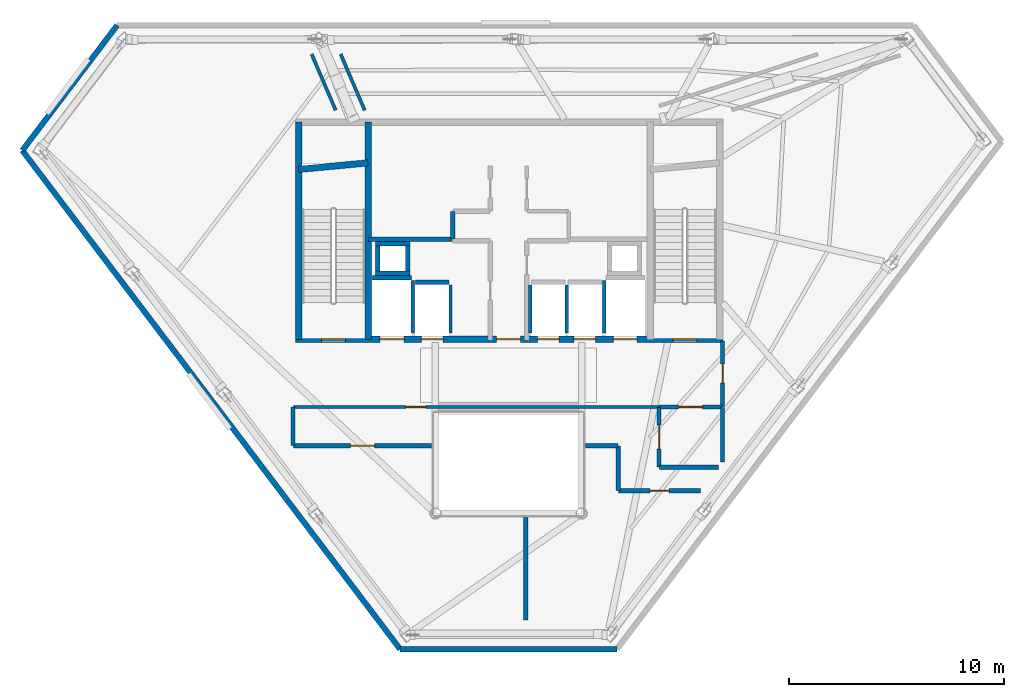
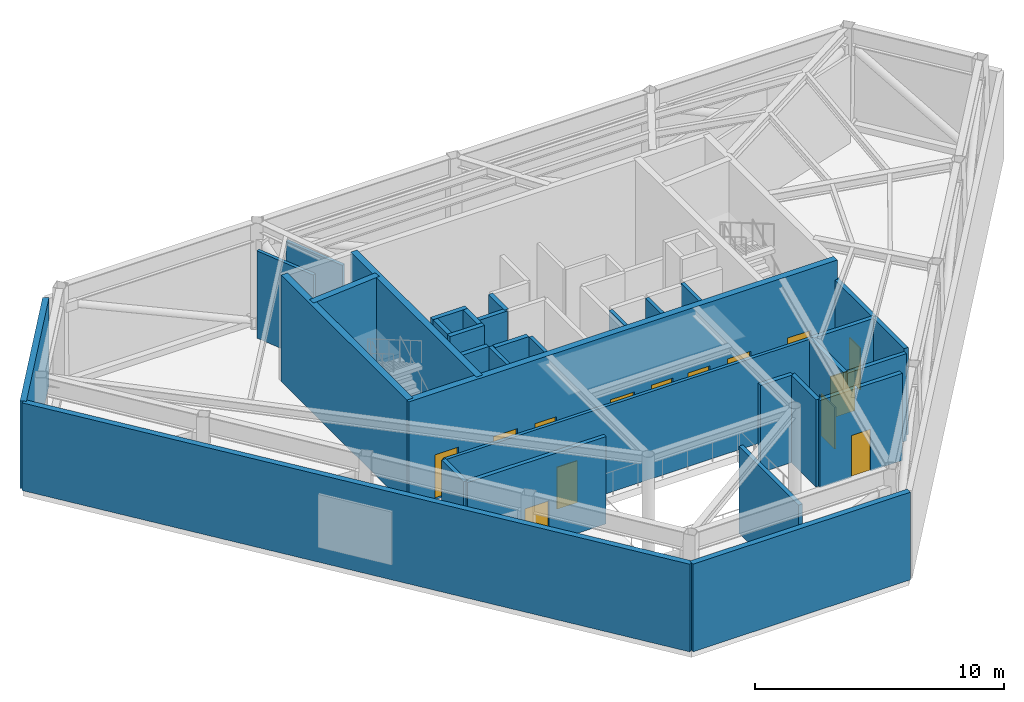
# One storey, part 4 of 9: 34 walls, 14 doors, 14 openings.
"""IFC4 building model written with IfcOpenShell, lengths in metres."""

import ifcopenshell
import ifcopenshell.guid

model = None  # the IFC model being written
_history = None  # IfcOwnerHistory: only IFC2X3 demands one
_inside = {}  # id of a spatial element -> (the spatial element, [elements in it])
_under = {}  # id of a project, library or spatial element -> (it, [spatial elements below it])
_declared = {}  # id of a project -> (the project, [libraries it declares])
_typed = {}  # id of a type object -> (the type object, [elements of that type])
_made_of = {}  # id of a material, layer set ... -> (it, [elements and type objects made of it])


def new_model(schema):
    """Start an empty IFC model of exactly this schema.

    Asked for "IFC4X3", IfcOpenShell would pick the latest addendum, in which some entities
    have other attributes; the version numbers below select the first issue.
    IFC2X3 requires an IfcOwnerHistory on every rooted entity: one is made here for all.
    """
    global model, _history
    if schema == "IFC4X3":
        model = ifcopenshell.file(schema_version=(4, 3, 0, 0))
    else:
        model = ifcopenshell.file(schema=schema)
    _inside.clear()
    _under.clear()
    _declared.clear()
    _typed.clear()
    _made_of.clear()
    _history = None
    if model.schema == "IFC2X3":
        org = make("IfcOrganization", Name="unknown")
        user = make(
            "IfcPersonAndOrganization",
            ThePerson=make("IfcPerson", FamilyName="unknown"),
            TheOrganization=org,
        )
        app = make(
            "IfcApplication",
            ApplicationDeveloper=org,
            Version="unknown",
            ApplicationFullName="unknown",
            ApplicationIdentifier="unknown",
        )
        _history = make(
            "IfcOwnerHistory",
            OwningUser=user,
            OwningApplication=app,
            ChangeAction="ADDED",
            CreationDate=0,
        )
    return model


def make(cls, **values):
    """One entity of the class cls with the attributes given. An attribute that is None is left unset."""
    return model.create_entity(
        cls, **{name: value for name, value in values.items() if value is not None}
    )


def rooted(cls, **values):
    """An entity with a GlobalId (a new one), such as an element, a storey or a relation."""
    return make(cls, GlobalId=ifcopenshell.guid.new(), OwnerHistory=_history, **values)


def si_unit(unit_type, name, prefix=None):
    """IfcSIUnit, for example si_unit("LENGTHUNIT", "METRE", prefix="MILLI")."""
    return make("IfcSIUnit", UnitType=unit_type, Prefix=prefix, Name=name)


def assignment(units):
    """IfcUnitAssignment: the units of a project."""
    return None if units is None else make("IfcUnitAssignment", Units=units)


def point(xyz):
    """IfcCartesianPoint."""
    return None if xyz is None else make("IfcCartesianPoint", Coordinates=xyz)


def direction(xyz):
    """IfcDirection."""
    return None if xyz is None else make("IfcDirection", DirectionRatios=xyz)


def frame(location, z_axis=None, x_axis=None):
    """IfcAxis2Placement3D, a coordinate frame: its origin and axes. An axis left out is left unset."""
    return make(
        "IfcAxis2Placement3D",
        Location=point(location),
        Axis=direction(z_axis),
        RefDirection=direction(x_axis),
    )


def frame_2d(location, x_axis=None):
    """IfcAxis2Placement2D, a coordinate frame in the plane: its origin and x axis."""
    return make(
        "IfcAxis2Placement2D", Location=point(location), RefDirection=direction(x_axis)
    )


def origin():
    """The frame at (0, 0, 0) with its axes left unset."""
    return frame((0.0, 0.0, 0.0))


def place(relative_to, where):
    """IfcLocalPlacement: puts the frame where relative to a parent placement (None: the world)."""
    return make(
        "IfcLocalPlacement", PlacementRelTo=relative_to, RelativePlacement=where
    )


def context(
    kind, dimensions, precision=None, world=None, true_north=None, identifier=None
):
    """IfcGeometricRepresentationContext, for example the 3D "Model" context."""
    return make(
        "IfcGeometricRepresentationContext",
        ContextIdentifier=identifier,
        ContextType=kind,
        CoordinateSpaceDimension=dimensions,
        Precision=precision,
        WorldCoordinateSystem=world,
        TrueNorth=true_north,
    )


def subcontext(parent, identifier, kind, view, scale=None):
    """IfcGeometricRepresentationSubContext, for example "Body" below "Model"."""
    return make(
        "IfcGeometricRepresentationSubContext",
        ContextIdentifier=identifier,
        ContextType=kind,
        ParentContext=parent,
        TargetScale=scale,
        TargetView=view,
    )


def project(units=None, contexts=None):
    """IfcProject with its units and contexts."""
    return rooted(
        "IfcProject",
        Name="project",
        RepresentationContexts=contexts,
        UnitsInContext=assignment(units),
    )


def spatial(cls, under=None, at=None, **own):
    """A site, building, storey or space (cls), placed at a placement, below another one or the project."""
    s = rooted(cls, ObjectPlacement=at, **own)
    if under is not None:
        _under.setdefault(under.id(), (under, []))[1].append(s)
    return s


def profile(cls, at=None, kind="AREA", **sizes):
    """A parametric profile (cls). Its sizes go by their IFC names, for example OverallWidth=200.0."""
    return make(cls, ProfileType=kind, Position=at, **sizes)


def rectangle(**sizes):
    """IfcRectangleProfileDef."""
    return profile("IfcRectangleProfileDef", **sizes)


def extrude(swept, where, along, depth):
    """IfcExtrudedAreaSolid: the profile swept, set in the frame where, extruded along a direction by depth."""
    return make(
        "IfcExtrudedAreaSolid",
        SweptArea=swept,
        Position=where,
        ExtrudedDirection=direction(along),
        Depth=depth,
    )


def shape(context_of_items, identifier, shape_type, items):
    """IfcShapeRepresentation: the items that make up one representation, for example the "Body"."""
    return make(
        "IfcShapeRepresentation",
        ContextOfItems=context_of_items,
        RepresentationIdentifier=identifier,
        RepresentationType=shape_type,
        Items=items,
    )


def material(Name=None, Category=None):
    """IfcMaterial."""
    return make("IfcMaterial", Name=Name, Category=Category)


def layer(
    of_material, thickness, ventilated=None, Name=None, Category=None, Priority=None
):
    """IfcMaterialLayer: one layer of a wall or slab, of a material (None: an air gap)."""
    return make(
        "IfcMaterialLayer",
        Material=of_material,
        LayerThickness=thickness,
        IsVentilated=ventilated,
        Name=Name,
        Category=Category,
        Priority=Priority,
    )


def layer_set(layers, Name=None):
    """IfcMaterialLayerSet."""
    return make("IfcMaterialLayerSet", MaterialLayers=layers, LayerSetName=Name)


def made_of(thing, what):
    """Note that an element or type object is made of a material, layer set ...; save() writes the relation."""
    if what is not None:
        _made_of.setdefault(what.id(), (what, []))[1].append(thing)
    return thing


def type_object(cls, material=None, **own):
    """A type object (cls), such as IfcWallType, which elements share."""
    return made_of(rooted(cls, **own), material)


def element(
    cls,
    number,
    at=None,
    inside=None,
    cuts=None,
    type_object=None,
    material=None,
    context=None,
    identifier="Body",
    shape_type=None,
    held_by="IfcProductDefinitionShape",
    body=None,
    shapes=None,
    **own,
):
    """One element of the class cls, such as IfcWall. Its Tag is "e" and its number.

    at: its placement. inside: the storey or other place that contains it. cuts: it is an
    opening in that element (IfcRelVoidsElement). A single representation is given by context,
    identifier, shape_type and body (its items); several are given by shapes. held_by: the class
    of the entity that holds the representations. save() writes the other relations.
    """
    e = rooted(cls, Tag="e%d" % number, ObjectPlacement=at, **own)
    if body is not None:
        shapes = [shape(context, identifier, shape_type, body)]
    if shapes is not None:
        e.Representation = make(held_by, Representations=shapes)
    if inside is not None:
        _inside.setdefault(inside.id(), (inside, []))[1].append(e)
    if cuts is not None:
        rooted(
            "IfcRelVoidsElement", RelatingBuildingElement=cuts, RelatedOpeningElement=e
        )
    if type_object is not None:
        _typed.setdefault(type_object.id(), (type_object, []))[1].append(e)
    return made_of(e, material)


def fill(opening, filler):
    """IfcRelFillsElement: the door or window that sits in an opening."""
    return rooted(
        "IfcRelFillsElement",
        RelatingOpeningElement=opening,
        RelatedBuildingElement=filler,
    )


def aggregate(whole, parts):
    """IfcRelAggregates: a whole, such as a stair, and the parts it consists of."""
    return rooted("IfcRelAggregates", RelatingObject=whole, RelatedObjects=parts)


def save(model, path):
    """Write the relations noted so far, then the file.

    IfcRelAggregates (storeys below a building ...), IfcRelContainedInSpatialStructure (elements
    in a storey), IfcRelDefinesByType, IfcRelAssociatesMaterial and IfcRelDeclares: one each for
    every whole, place, type object, material and project.
    """
    for whole, parts in _under.values():
        aggregate(whole, parts)
    for where, things in _inside.values():
        rooted(
            "IfcRelContainedInSpatialStructure",
            RelatedElements=things,
            RelatingStructure=where,
        )
    for kind, things in _typed.values():
        rooted("IfcRelDefinesByType", RelatedObjects=things, RelatingType=kind)
    for what, things in _made_of.values():
        rooted("IfcRelAssociatesMaterial", RelatedObjects=things, RelatingMaterial=what)
    for by, libraries in _declared.values():
        rooted("IfcRelDeclares", RelatingContext=by, RelatedDefinitions=libraries)
    model.write(path)


model = new_model("IFC4")

# Units and contexts
model_context = context("Model", 3, precision=1e-05, world=origin(), true_north=direction((0.0, 1.0)))
body_context = subcontext(model_context, "Body", "Model", "MODEL_VIEW")
ifc_project = project(units=[si_unit("LENGTHUNIT", "METRE"), si_unit("AREAUNIT", "SQUARE_METRE"), si_unit("VOLUMEUNIT", "CUBIC_METRE"), si_unit("PLANEANGLEUNIT", "RADIAN"), si_unit("MASSUNIT", "GRAM", prefix="KILO")], contexts=[model_context])

# Site, building, storey
site_placement = place(None, origin())
site = spatial("IfcSite", under=ifc_project, at=site_placement, CompositionType="ELEMENT")
building_placement = place(site_placement, origin())
building = spatial("IfcBuilding", under=site, at=building_placement, Name="Zarrinselat Tower", CompositionType="ELEMENT")
storey_placement = place(building_placement, frame((0.0, 0.0, 252.9599609375)))
storey = spatial("IfcBuildingStorey", under=building, at=storey_placement, Name="L64", CompositionType="ELEMENT", Elevation=252.9599609375)

# Walls
ifc_material_1 = material(Name="Honed Cream Travertine Stone", Category="masonry")
ifc_layer_1 = layer(ifc_material_1, 0.260009765625)
ifc_layer_set_1 = layer_set([ifc_layer_1], Name="Honed Cream Travertine Stone")
wall_type_1 = type_object("IfcWallType", Name="WAL-EXT-STONE-260", PredefinedType="STANDARD", material=ifc_layer_set_1)
wall_1_placement = place(storey_placement, frame((15.785888671875, 42.07958984375, 0.0), z_axis=(0.0, 0.0, 1.0), x_axis=(0.603857044883, 0.79709263536, 0.0)))
element("IfcWall", 1, at=wall_1_placement, inside=storey, type_object=wall_type_1, Name="L64 Mechanical Plant Travertine Perimeter Wall 2", PredefinedType="STANDARD", context=body_context, shape_type="SweptSolid", body=[
    extrude(rectangle(XDim=7.30908203125, YDim=0.260009765625, at=frame_2d((3.654541015625, 0.0))), origin(), (0.0, 0.0, 1.0), 4.294921875),
])
wall_2_placement = place(storey_placement, frame((15.785888671875, 42.07958984375, 0.0), z_axis=(0.0, 0.0, 1.0), x_axis=(0.603859303421, -0.797090924344, 0.0)))
element("IfcWall", 2, at=wall_2_placement, inside=storey, type_object=wall_type_1, Name="L64 Mechanical Plant Travertine Perimeter Wall 3", PredefinedType="STANDARD", context=body_context, shape_type="SweptSolid", body=[
    extrude(rectangle(XDim=29.097412109375, YDim=0.260009765625, at=frame_2d((14.548828125, 0.0))), origin(), (0.0, 0.0, 1.0), 4.294921875),
])
wall_3_placement = place(storey_placement, frame((33.356689453125, 18.88623046875, 0.0), z_axis=(0.0, 0.0, 1.0), x_axis=(1.0, 0.0, 0.0)))
element("IfcWall", 3, at=wall_3_placement, inside=storey, type_object=wall_type_1, Name="L64 Mechanical Plant Travertine Perimeter Wall 4", PredefinedType="STANDARD", context=body_context, shape_type="SweptSolid", body=[
    extrude(rectangle(XDim=10.086669921875, YDim=0.260009765625, at=frame_2d((5.04345703125, 0.0))), origin(), (0.0, 0.0, 1.0), 4.294921875),
])

# Wall, opening, door
ifc_material_2 = material(Name="Concrete C40/50", Category="concrete")
ifc_layer_2 = layer(ifc_material_2, 0.18994140625)
ifc_layer_set_2 = layer_set([ifc_layer_2], Name="Concrete C40/50")
wall_type_2 = type_object("IfcWallType", Name="WAL-PART-EI120", PredefinedType="PARTITIONING", material=ifc_layer_set_2)
wall_4_placement = place(storey_placement, frame((45.405029296875, 30.14990234375, 0.0), z_axis=(0.0, 0.0, 1.0), x_axis=(1.0, 0.0, 0.0)))
wall_4 = element("IfcWall", 4, at=wall_4_placement, inside=storey, type_object=wall_type_2, Name="L64 Partition Wall 13", PredefinedType="PARTITIONING", context=body_context, shape_type="SweptSolid", body=[
    extrude(rectangle(XDim=2.925048828125, YDim=0.18994140625, at=frame_2d((1.46240234375, 0.0))), origin(), (0.0, 0.0, 1.0), 4.275146484375),
])
opening_1_placement = place(wall_4_placement, frame((0.902587890625, 0.0, 0.0)))
opening_1 = element("IfcOpeningElement", 5, at=opening_1_placement, cuts=wall_4, Name="Opening ID-02", PredefinedType="OPENING", context=body_context, shape_type="SweptSolid", body=[
    extrude(rectangle(XDim=1.1201171875, YDim=2.050048828125, at=frame_2d((0.56005859375, 1.02490234375))), frame((0.0, 0.10498046875, 0.0), z_axis=(0.0, -1.0, 0.0), x_axis=(1.0, 0.0, 0.0)), (0.0, 0.0, 1.0), 0.2099609375),
])
ifc_material_3 = material(Name="Steel S355J2", Category="steel")
door_type_1 = type_object("IfcDoorType", Name="DR-INT-FD60-W", OperationType="NOTDEFINED", PredefinedType="DOOR", material=ifc_material_3)
door_1_placement = place(opening_1_placement, origin())
door_1 = element("IfcDoor", 6, at=door_1_placement, inside=storey, type_object=door_type_1, Name="L64 Interior Door P13", OperationType="SINGLE_SWING_LEFT", OverallHeight=2.050048828125, OverallWidth=1.1201171875, PredefinedType="DOOR", context=body_context, shape_type="SweptSolid", body=[
    extrude(rectangle(XDim=1.1201171875, YDim=2.050048828125, at=frame_2d((0.56005859375, 1.02490234375))), frame((0.0, 0.02490234375, 0.0), z_axis=(0.0, -1.0, 0.0), x_axis=(1.0, 0.0, 0.0)), (0.0, 0.0, 1.0), 0.050048828125),
])
fill(opening_1, door_1)

# Wall
wall_5_placement = place(storey_placement, frame((45.419921875, 27.35009765625, 0.0), z_axis=(0.0, 0.0, 1.0), x_axis=(1.0, 0.0, 0.0)))
element("IfcWall", 7, at=wall_5_placement, inside=storey, type_object=wall_type_2, Name="L64 Partition Wall 16", PredefinedType="PARTITIONING", context=body_context, shape_type="SweptSolid", body=[
    extrude(rectangle(XDim=2.74169921875, YDim=0.18994140625, at=frame_2d((1.370849609375, 0.0))), origin(), (0.0, 0.0, 1.0), 4.275146484375),
])

# Wall, opening, door
wall_6_placement = place(storey_placement, frame((45.39990234375, 27.3701171875, 0.0), z_axis=(0.0, 0.0, 1.0), x_axis=(0.0, 1.0, 0.0)))
wall_6 = element("IfcWall", 8, at=wall_6_placement, inside=storey, type_object=wall_type_2, Name="L64 Partition Wall 17", PredefinedType="PARTITIONING", context=body_context, shape_type="SweptSolid", body=[
    extrude(rectangle(XDim=2.759765625, YDim=0.18994140625, at=frame_2d((1.3798828125, 0.0))), origin(), (0.0, 0.0, 1.0), 4.275146484375),
])
opening_2_placement = place(wall_6_placement, frame((0.820068359375, 0.0, 0.0)))
opening_2 = element("IfcOpeningElement", 9, at=opening_2_placement, cuts=wall_6, Name="Opening ID-02", PredefinedType="OPENING", context=body_context, shape_type="SweptSolid", body=[
    extrude(rectangle(XDim=1.1201171875, YDim=2.050048828125, at=frame_2d((0.56005859375, 1.02490234375))), frame((0.0, 0.10498046875, 0.0), z_axis=(0.0, -1.0, 0.0), x_axis=(1.0, 0.0, 0.0)), (0.0, 0.0, 1.0), 0.2099609375),
])
door_2_placement = place(opening_2_placement, origin())
door_2 = element("IfcDoor", 10, at=door_2_placement, inside=storey, type_object=door_type_1, Name="L64 Interior Door P17", OperationType="SINGLE_SWING_RIGHT", OverallHeight=2.050048828125, OverallWidth=1.1201171875, PredefinedType="DOOR", context=body_context, shape_type="SweptSolid", body=[
    extrude(rectangle(XDim=1.1201171875, YDim=2.050048828125, at=frame_2d((0.56005859375, 1.02490234375))), frame((0.0, 0.02490234375, 0.0), z_axis=(0.0, -1.0, 0.0), x_axis=(1.0, 0.0, 0.0)), (0.0, 0.0, 1.0), 0.050048828125),
])
fill(opening_2, door_2)

# Wall
wall_7_placement = place(storey_placement, frame((48.35009765625, 27.598388671875, 0.0), z_axis=(0.0, 0.0, 1.0), x_axis=(0.0, 1.0, 0.0)))
element("IfcWall", 11, at=wall_7_placement, inside=storey, type_object=wall_type_2, Name="L64 Partition Wall 18", PredefinedType="PARTITIONING", context=body_context, shape_type="SweptSolid", body=[
    extrude(rectangle(XDim=2.531494140625, YDim=0.18994140625, at=frame_2d((1.265625, 0.0))), origin(), (0.0, 0.0, 1.0), 4.275146484375),
])

# Wall, opening, door
wall_8_placement = place(storey_placement, frame((28.39990234375, 28.35009765625, 0.0), z_axis=(0.0, 0.0, 1.0), x_axis=(1.0, 0.0, 0.0)))
wall_8 = element("IfcWall", 12, at=wall_8_placement, inside=storey, type_object=wall_type_2, Name="L64 Partition Wall 19", PredefinedType="PARTITIONING", context=body_context, shape_type="SweptSolid", body=[
    extrude(rectangle(XDim=6.420166015625, YDim=0.18994140625, at=frame_2d((3.2099609375, 0.0))), origin(), (0.0, 0.0, 1.0), 4.275146484375),
])
opening_3_placement = place(wall_8_placement, frame((2.64990234375, 0.0, 0.0)))
opening_3 = element("IfcOpeningElement", 13, at=opening_3_placement, cuts=wall_8, Name="Opening ID-02", PredefinedType="OPENING", context=body_context, shape_type="SweptSolid", body=[
    extrude(rectangle(XDim=1.1201171875, YDim=2.050048828125, at=frame_2d((0.56005859375, 1.02490234375))), frame((0.0, 0.10498046875, 0.0), z_axis=(0.0, -1.0, 0.0), x_axis=(1.0, 0.0, 0.0)), (0.0, 0.0, 1.0), 0.2099609375),
])
door_3_placement = place(opening_3_placement, origin())
door_3 = element("IfcDoor", 14, at=door_3_placement, inside=storey, type_object=door_type_1, Name="L64 Interior Door P19", OperationType="SINGLE_SWING_LEFT", OverallHeight=2.050048828125, OverallWidth=1.1201171875, PredefinedType="DOOR", context=body_context, shape_type="SweptSolid", body=[
    extrude(rectangle(XDim=1.1201171875, YDim=2.050048828125, at=frame_2d((0.56005859375, 1.02490234375))), frame((0.0, 0.02490234375, 0.0), z_axis=(0.0, -1.0, 0.0), x_axis=(1.0, 0.0, 0.0)), (0.0, 0.0, 1.0), 0.050048828125),
])
fill(opening_3, door_3)

# Walls
wall_9_placement = place(storey_placement, frame((28.3798828125, 28.3701171875, 0.0), z_axis=(0.0, 0.0, 1.0), x_axis=(0.0, 1.0, 0.0)))
element("IfcWall", 15, at=wall_9_placement, inside=storey, type_object=wall_type_2, Name="L64 Partition Wall 20", PredefinedType="PARTITIONING", context=body_context, shape_type="SweptSolid", body=[
    extrude(rectangle(XDim=1.77978515625, YDim=0.18994140625, at=frame_2d((0.889892578125, 0.0))), origin(), (0.0, 0.0, 1.0), 4.275146484375),
])
wall_10_placement = place(storey_placement, frame((39.199951171875, 20.236083984375, 0.0), z_axis=(0.0, 0.0, 1.0), x_axis=(0.0, 1.0, 0.0)))
element("IfcWall", 16, at=wall_10_placement, inside=storey, type_object=wall_type_2, Name="L64 Partition Wall 24", PredefinedType="PARTITIONING", context=body_context, shape_type="SweptSolid", body=[
    extrude(rectangle(XDim=4.783935546875, YDim=0.18994140625, at=frame_2d((2.39208984375, 0.0))), origin(), (0.0, 0.0, 1.0), 4.275146484375),
])

# Wall, opening, door
ifc_material_4 = material(Name="Fire-Rated Gypsum Board Partition", Category="gypsum")
ifc_layer_3 = layer(ifc_material_4, 0.14990234375)
ifc_layer_set_3 = layer_set([ifc_layer_3], Name="Fire-Rated Gypsum Board Partition")
wall_type_3 = type_object("IfcWallType", Name="WAL-PART-EI60", PredefinedType="PARTITIONING", material=ifc_layer_set_3)
wall_11_placement = place(storey_placement, frame((28.39501953125, 30.14990234375, 0.0), z_axis=(0.0, 0.0, 1.0), x_axis=(1.0, 0.0, 0.0)))
wall_11 = element("IfcWall", 17, at=wall_11_placement, inside=storey, type_object=wall_type_3, Name="L64 Partition Wall 14", PredefinedType="PARTITIONING", context=body_context, shape_type="SweptSolid", body=[
    extrude(rectangle(XDim=17.0, YDim=0.14990234375, at=frame_2d((8.5, 0.0))), origin(), (0.0, 0.0, 1.0), 4.275146484375),
])
opening_4_placement = place(wall_11_placement, frame((5.22998046875, 0.0, 0.0)))
opening_4 = element("IfcOpeningElement", 18, at=opening_4_placement, cuts=wall_11, Name="Opening ID-04", PredefinedType="OPENING", context=body_context, shape_type="SweptSolid", body=[
    extrude(rectangle(XDim=0.93994140625, YDim=2.050048828125, at=frame_2d((0.469970703125, 1.02490234375))), frame((0.0, 0.0849609375, 0.0), z_axis=(0.0, -1.0, 0.0), x_axis=(1.0, 0.0, 0.0)), (0.0, 0.0, 1.0), 0.169921875),
])
ifc_material_5 = material(Name="Fire-Rated Gypsum Board Partition")
door_type_2 = type_object("IfcDoorType", Name="DR-INT-FD30-ENT", OperationType="NOTDEFINED", PredefinedType="DOOR", material=ifc_material_5)
door_4_placement = place(opening_4_placement, origin())
door_4 = element("IfcDoor", 19, at=door_4_placement, inside=storey, type_object=door_type_2, Name="L64 Interior Door P14", OperationType="SINGLE_SWING_RIGHT", OverallHeight=2.050048828125, OverallWidth=0.93994140625, PredefinedType="DOOR", context=body_context, shape_type="SweptSolid", body=[
    extrude(rectangle(XDim=0.93994140625, YDim=2.050048828125, at=frame_2d((0.469970703125, 1.02490234375))), frame((0.0, 0.02490234375, 0.0), z_axis=(0.0, -1.0, 0.0), x_axis=(1.0, 0.0, 0.0)), (0.0, 0.0, 1.0), 0.050048828125),
])
fill(opening_4, door_4)

# Walls
ifc_material_6 = material(Name="Concrete C40/50", Category="concrete")
ifc_layer_4 = layer(ifc_material_6, 0.199951171875)
ifc_layer_set_4 = layer_set([ifc_layer_4], Name="Concrete C40/50")
wall_type_4 = type_object("IfcWallType", Name="WAL-PART-PLANT", PredefinedType="PARTITIONING", material=ifc_layer_set_4)
wall_12_placement = place(storey_placement, frame((35.800048828125, 37.955078125, 0.0), z_axis=(0.0, 0.0, 1.0), x_axis=(0.0, 1.0, 0.0)))
element("IfcWall", 20, at=wall_12_placement, inside=storey, type_object=wall_type_4, Name="L64 Partition Wall 3", PredefinedType="PARTITIONING", context=body_context, shape_type="SweptSolid", body=[
    extrude(rectangle(XDim=1.27490234375, YDim=0.199951171875, at=frame_2d((0.637451171875, 0.0))), origin(), (0.0, 0.0, 1.0), 4.275146484375),
])
wall_13_placement = place(storey_placement, frame((31.885009765625, 37.949951171875, 0.0), z_axis=(0.0, 0.0, 1.0), x_axis=(1.0, 0.0, 0.0)))
element("IfcWall", 21, at=wall_13_placement, inside=storey, type_object=wall_type_4, Name="L64 Partition Wall 11", PredefinedType="PARTITIONING", context=body_context, shape_type="SweptSolid", body=[
    extrude(rectangle(XDim=3.89501953125, YDim=0.199951171875, at=frame_2d((1.947509765625, 0.0))), origin(), (0.0, 0.0, 1.0), 4.275146484375),
])

# Wall, opening, door
wall_14_placement = place(storey_placement, frame((48.35009765625, 30.169921875, 0.0), z_axis=(0.0, 0.0, 1.0), x_axis=(0.0, 1.0, 0.0)))
wall_14 = element("IfcWall", 22, at=wall_14_placement, inside=storey, type_object=wall_type_4, Name="L64 Partition Wall 15", PredefinedType="PARTITIONING", context=body_context, shape_type="SweptSolid", body=[
    extrude(rectangle(XDim=3.06005859375, YDim=0.199951171875, at=frame_2d((1.530029296875, 0.0))), origin(), (0.0, 0.0, 1.0), 4.275146484375),
])
opening_5_placement = place(wall_14_placement, frame((1.090087890625, 0.0, 0.0)))
opening_5 = element("IfcOpeningElement", 23, at=opening_5_placement, cuts=wall_14, Name="Opening ID-03", PredefinedType="OPENING", context=body_context, shape_type="SweptSolid", body=[
    extrude(rectangle(XDim=0.8798828125, YDim=2.050048828125, at=frame_2d((0.43994140625, 1.02490234375))), frame((0.0, 0.10986328125, 0.0), z_axis=(0.0, -1.0, 0.0), x_axis=(1.0, 0.0, 0.0)), (0.0, 0.0, 1.0), 0.219970703125),
])
ifc_material_7 = material(Name="Steel S355J2", Category="steel")
door_type_3 = type_object("IfcDoorType", Name="DR-INT-FD60-S", OperationType="NOTDEFINED", PredefinedType="DOOR", material=ifc_material_7)
door_5_placement = place(opening_5_placement, origin())
door_5 = element("IfcDoor", 24, at=door_5_placement, inside=storey, type_object=door_type_3, Name="L64 Interior Door P15", OperationType="SINGLE_SWING_LEFT", OverallHeight=2.050048828125, OverallWidth=0.8798828125, PredefinedType="DOOR", context=body_context, shape_type="SweptSolid", body=[
    extrude(rectangle(XDim=0.8798828125, YDim=2.050048828125, at=frame_2d((0.43994140625, 1.02490234375))), frame((0.0, 0.02490234375, 0.0), z_axis=(0.0, -1.0, 0.0), x_axis=(1.0, 0.0, 0.0)), (0.0, 0.0, 1.0), 0.050048828125),
])
fill(opening_5, door_5)

wall_15_placement = place(storey_placement, frame((43.52001953125, 26.25, 0.0), z_axis=(0.0, 0.0, 1.0), x_axis=(1.0, 0.0, 0.0)))
wall_15 = element("IfcWall", 25, at=wall_15_placement, inside=storey, type_object=wall_type_4, Name="L64 Partition Wall 21", PredefinedType="PARTITIONING", context=body_context, shape_type="SweptSolid", body=[
    extrude(rectangle(XDim=3.808349609375, YDim=0.199951171875, at=frame_2d((1.904296875, 0.0))), origin(), (0.0, 0.0, 1.0), 4.275146484375),
])
opening_6_placement = place(wall_15_placement, frame((1.464111328125, 0.0, 0.0)))
opening_6 = element("IfcOpeningElement", 26, at=opening_6_placement, cuts=wall_15, Name="Opening ID-03", PredefinedType="OPENING", context=body_context, shape_type="SweptSolid", body=[
    extrude(rectangle(XDim=0.8798828125, YDim=2.050048828125, at=frame_2d((0.43994140625, 1.02490234375))), frame((0.0, 0.10986328125, 0.0), z_axis=(0.0, -1.0, 0.0), x_axis=(1.0, 0.0, 0.0)), (0.0, 0.0, 1.0), 0.219970703125),
])
door_6_placement = place(opening_6_placement, origin())
door_6 = element("IfcDoor", 27, at=door_6_placement, inside=storey, type_object=door_type_3, Name="L64 Interior Door P21", OperationType="SINGLE_SWING_RIGHT", OverallHeight=2.050048828125, OverallWidth=0.8798828125, PredefinedType="DOOR", context=body_context, shape_type="SweptSolid", body=[
    extrude(rectangle(XDim=0.8798828125, YDim=2.050048828125, at=frame_2d((0.43994140625, 1.02490234375))), frame((0.0, 0.02490234375, 0.0), z_axis=(0.0, -1.0, 0.0), x_axis=(1.0, 0.0, 0.0)), (0.0, 0.0, 1.0), 0.050048828125),
])
fill(opening_6, door_6)

# Walls
wall_16_placement = place(storey_placement, frame((43.5, 26.27001953125, 0.0), z_axis=(0.0, 0.0, 1.0), x_axis=(0.0, 1.0, 0.0)))
element("IfcWall", 28, at=wall_16_placement, inside=storey, type_object=wall_type_4, Name="L64 Partition Wall 22", PredefinedType="PARTITIONING", context=body_context, shape_type="SweptSolid", body=[
    extrude(rectangle(XDim=2.06005859375, YDim=0.199951171875, at=frame_2d((1.030029296875, 0.0))), origin(), (0.0, 0.0, 1.0), 4.275146484375),
])
wall_17_placement = place(storey_placement, frame((41.97998046875, 28.35009765625, 0.0), z_axis=(0.0, 0.0, 1.0), x_axis=(1.0, 0.0, 0.0)))
element("IfcWall", 29, at=wall_17_placement, inside=storey, type_object=wall_type_4, Name="L64 Partition Wall 23", PredefinedType="PARTITIONING", context=body_context, shape_type="SweptSolid", body=[
    extrude(rectangle(XDim=1.5, YDim=0.199951171875, at=frame_2d((0.75, 0.0))), origin(), (0.0, 0.0, 1.0), 4.275146484375),
])
ifc_material_8 = material(Name="Fire-Rated Gypsum Board Partition", Category="gypsum")
ifc_layer_5 = layer(ifc_material_8, 0.1201171875)
ifc_layer_set_5 = layer_set([ifc_layer_5], Name="Fire-Rated Gypsum Board Partition")
wall_type_5 = type_object("IfcWallType", Name="WAL-PART-STD", PredefinedType="PARTITIONING", material=ifc_layer_set_5)
for number, where, z_axis, x_axis, name in (
    (30, (30.59423828125, 46.5556640625, 0.0), (0.0, 0.0, 1.0), (0.393180969481, -0.919461105887, 0.0), "L64 Outrigger Truss Zone 16 Fire Partition 1"),
    (31, (29.24560546875, 46.5556640625, 0.0), (0.0, 0.0, 1.0), (0.393180969481, -0.919461105887, 0.0), "L64 Outrigger Truss Zone 16 Fire Partition 2"),
):
    element("IfcWall", number, at=place(storey_placement, frame(where, z_axis=z_axis, x_axis=x_axis)), inside=storey, type_object=wall_type_5, Name=name, PredefinedType="PARTITIONING", context=body_context, shape_type="SweptSolid", body=[
        extrude(rectangle(XDim=2.833984375, YDim=0.14990234375, at=frame_2d((1.4169921875, 0.0))), origin(), (0.0, 0.0, 1.0), 4.275146484375),
    ])
ifc_material_9 = material(Name="Concrete C40/50", Category="concrete")
ifc_layer_6 = layer(ifc_material_9, 0.2099609375)
ifc_layer_set_6 = layer_set([ifc_layer_6], Name="Concrete C40/50")
wall_type_6 = type_object("IfcWallType", Name="WAL-SHAFT-210", PredefinedType="SOLIDWALL", material=ifc_layer_set_6)
wall_18_placement = place(storey_placement, frame((32.080078125, 36.155029296875, 0.0), z_axis=(0.0, 0.0, 1.0), x_axis=(1.0, 0.0, 0.0)))
element("IfcWall", 32, at=wall_18_placement, inside=storey, type_object=wall_type_6, Name="L64 Lift FFL1 North Shaft Wall", PredefinedType="SOLIDWALL", context=body_context, shape_type="SweptSolid", body=[
    extrude(rectangle(XDim=1.7998046875, YDim=0.2099609375, at=frame_2d((0.89990234375, 0.0))), origin(), (0.0, 0.0, 1.0), 4.2900390625),
])
for number, where, z_axis, x_axis, name in (
    (33, (33.949951171875, 33.580078125, 0.0), (0.0, 0.0, 1.0), (0.0, 1.0, 0.0), "L64 Lift FFL1 E Shaft Wall"),
    (34, (42.85009765625, 33.580078125, 0.0), (0.0, 0.0, 1.0), (0.0, 1.0, 0.0), "L64 Lift FFL2 W Shaft Wall"),
):
    element("IfcWall", number, at=place(storey_placement, frame(where, z_axis=z_axis, x_axis=x_axis)), inside=storey, type_object=wall_type_6, Name=name, PredefinedType="SOLIDWALL", context=body_context, shape_type="SweptSolid", body=[
        extrude(rectangle(XDim=2.449951171875, YDim=0.159912109375, at=frame_2d((1.22509765625, 0.0))), origin(), (0.0, 0.0, 1.0), 4.2900390625),
    ])
for number, where, z_axis, x_axis, name in (
    (35, (39.39990234375, 33.580078125, 0.0), (0.0, 0.0, 1.0), (0.0, 1.0, 0.0), "L64 Lift PL8 W Shaft Wall"),
    (36, (41.10009765625, 33.580078125, 0.0), (0.0, 0.0, 1.0), (0.0, 1.0, 0.0), "L64 Lift PL8 E Shaft Wall"),
):
    element("IfcWall", number, at=place(storey_placement, frame(where, z_axis=z_axis, x_axis=x_axis)), inside=storey, type_object=wall_type_6, Name=name, PredefinedType="SOLIDWALL", context=body_context, shape_type="SweptSolid", body=[
        extrude(rectangle(XDim=2.25, YDim=0.159912109375, at=frame_2d((1.125, 0.0))), origin(), (0.0, 0.0, 1.0), 4.2900390625),
    ])
wall_19_placement = place(storey_placement, frame((34.070068359375, 35.955078125, 0.0), z_axis=(0.0, 0.0, 1.0), x_axis=(1.0, 0.0, 0.0)))
element("IfcWall", 37, at=wall_19_placement, inside=storey, type_object=wall_type_6, Name="L64 Lift PL10 North Shaft Wall", PredefinedType="SOLIDWALL", context=body_context, shape_type="SweptSolid", body=[
    extrude(rectangle(XDim=1.559814453125, YDim=0.2099609375, at=frame_2d((0.77978515625, 0.0))), origin(), (0.0, 0.0, 1.0), 4.2900390625),
])
wall_20_placement = place(storey_placement, frame((35.699951171875, 33.580078125, 0.0), z_axis=(0.0, 0.0, 1.0), x_axis=(0.0, 1.0, 0.0)))
element("IfcWall", 38, at=wall_20_placement, inside=storey, type_object=wall_type_6, Name="L64 Lift PL10 E Shaft Wall", PredefinedType="SOLIDWALL", context=body_context, shape_type="SweptSolid", body=[
    extrude(rectangle(XDim=2.25, YDim=0.159912109375, at=frame_2d((1.125, 0.0))), origin(), (0.0, 0.0, 1.0), 4.2900390625),
])
for number, where, z_axis, x_axis, name in (
    (39, (32.2099609375, 36.375, 0.0), (0.0, 0.0, 1.0), (1.0, 0.0, 0.0), "L64 Core Riser RSR-W S Shaft Wall"),
    (40, (32.2099609375, 37.7451171875, 0.0), (0.0, 0.0, 1.0), (1.0, 0.0, 0.0), "L64 Core Riser RSR-W N Shaft Wall"),
):
    element("IfcWall", number, at=place(storey_placement, frame(where, z_axis=z_axis, x_axis=x_axis)), inside=storey, type_object=wall_type_6, Name=name, PredefinedType="SOLIDWALL", context=body_context, shape_type="SweptSolid", body=[
        extrude(rectangle(XDim=1.60009765625, YDim=0.2099609375, at=frame_2d((0.800048828125, 0.0))), origin(), (0.0, 0.0, 1.0), 5.219970703125),
    ])
for number, where, z_axis, x_axis, name in (
    (41, (32.31494140625, 36.485107421875, 0.0), (0.0, 0.0, 1.0), (0.0, 1.0, 0.0), "L64 Core Riser RSR-W W Shaft Wall"),
    (42, (33.705078125, 36.485107421875, 0.0), (0.0, 0.0, 1.0), (0.0, 1.0, 0.0), "L64 Core Riser RSR-W E Shaft Wall"),
):
    element("IfcWall", number, at=place(storey_placement, frame(where, z_axis=z_axis, x_axis=x_axis)), inside=storey, type_object=wall_type_6, Name=name, PredefinedType="SOLIDWALL", context=body_context, shape_type="SweptSolid", body=[
        extrude(rectangle(XDim=1.14990234375, YDim=0.2099609375, at=frame_2d((0.574951171875, 0.0))), origin(), (0.0, 0.0, 1.0), 5.219970703125),
    ])

# Wall, openings, doors
ifc_material_10 = material(Name="Concrete C40/50", Category="concrete")
ifc_layer_7 = layer(ifc_material_10, 0.300048828125)
ifc_layer_set_7 = layer_set([ifc_layer_7], Name="Concrete C40/50")
wall_type_7 = type_object("IfcWallType", Name="WAL-SHEAR-300", PredefinedType="SHEAR", material=ifc_layer_set_7)
wall_21_placement = place(storey_placement, frame((28.5, 33.300048828125, 0.0), z_axis=(0.0, 0.0, 1.0), x_axis=(1.0, 0.0, 0.0)))
wall_21 = element("IfcWall", 43, at=wall_21_placement, inside=storey, type_object=wall_type_7, Name="L64 South Core Shear Wall", PredefinedType="SHEAR", context=body_context, shape_type="SweptSolid", body=[
    extrude(rectangle(XDim=19.860107421875, YDim=0.300048828125, at=frame_2d((9.93017578125, 0.0))), origin(), (0.0, 0.0, 1.0), 5.219970703125),
])
opening_7_placement = place(wall_21_placement, frame((3.929931640625, 0.0, 0.0)))
opening_7 = element("IfcOpeningElement", 44, at=opening_7_placement, cuts=wall_21, Name="Opening LD-FFL1", PredefinedType="OPENING", context=body_context, shape_type="SweptSolid", body=[
    extrude(rectangle(XDim=1.10009765625, YDim=2.14990234375, at=frame_2d((0.550048828125, 1.074951171875))), frame((0.0, 0.159912109375, 0.0), z_axis=(0.0, -1.0, 0.0), x_axis=(1.0, 0.0, 0.0)), (0.0, 0.0, 1.0), 0.320068359375),
])
opening_8_placement = place(wall_21_placement, frame((14.77001953125, 0.0, 0.0)))
opening_8 = element("IfcOpeningElement", 45, at=opening_8_placement, cuts=wall_21, Name="Opening LD-FFL2", PredefinedType="OPENING", context=body_context, shape_type="SweptSolid", body=[
    extrude(rectangle(XDim=1.10009765625, YDim=2.14990234375, at=frame_2d((0.550048828125, 1.074951171875))), frame((0.0, 0.159912109375, 0.0), z_axis=(0.0, -1.0, 0.0), x_axis=(1.0, 0.0, 0.0)), (0.0, 0.0, 1.0), 0.320068359375),
])
opening_9_placement = place(wall_21_placement, frame((11.25, 0.0, 0.0)))
opening_9 = element("IfcOpeningElement", 46, at=opening_9_placement, cuts=wall_21, Name="Opening LD-PL8", PredefinedType="OPENING", context=body_context, shape_type="SweptSolid", body=[
    extrude(rectangle(XDim=1.0, YDim=2.10009765625, at=frame_2d((0.5, 1.050048828125))), frame((0.0, 0.159912109375, 0.0), z_axis=(0.0, -1.0, 0.0), x_axis=(1.0, 0.0, 0.0)), (0.0, 0.0, 1.0), 0.320068359375),
])
opening_10_placement = place(wall_21_placement, frame((12.949951171875, 0.0, 0.0)))
opening_10 = element("IfcOpeningElement", 47, at=opening_10_placement, cuts=wall_21, Name="Opening LD-PL9", PredefinedType="OPENING", context=body_context, shape_type="SweptSolid", body=[
    extrude(rectangle(XDim=1.0, YDim=2.10009765625, at=frame_2d((0.5, 1.050048828125))), frame((0.0, 0.159912109375, 0.0), z_axis=(0.0, -1.0, 0.0), x_axis=(1.0, 0.0, 0.0)), (0.0, 0.0, 1.0), 0.320068359375),
])
opening_11_placement = place(wall_21_placement, frame((5.85009765625, 0.0, 0.0)))
opening_11 = element("IfcOpeningElement", 48, at=opening_11_placement, cuts=wall_21, Name="Opening LD-PL10", PredefinedType="OPENING", context=body_context, shape_type="SweptSolid", body=[
    extrude(rectangle(XDim=1.0, YDim=2.10009765625, at=frame_2d((0.5, 1.050048828125))), frame((0.0, 0.159912109375, 0.0), z_axis=(0.0, -1.0, 0.0), x_axis=(1.0, 0.0, 0.0)), (0.0, 0.0, 1.0), 0.320068359375),
])
opening_12_placement = place(wall_21_placement, frame((1.2099609375, 0.0, 0.0)))
opening_12 = element("IfcOpeningElement", 49, at=opening_12_placement, cuts=wall_21, Name="Opening SD-01", PredefinedType="OPENING", context=body_context, shape_type="SweptSolid", body=[
    extrude(rectangle(XDim=1.10009765625, YDim=2.199951171875, at=frame_2d((0.550048828125, 1.10009765625))), frame((0.0, 0.159912109375, 0.0), z_axis=(0.0, -1.0, 0.0), x_axis=(1.0, 0.0, 0.0)), (0.0, 0.0, 1.0), 0.320068359375),
])
opening_13_placement = place(wall_21_placement, frame((9.340087890625, 0.0, 0.0)))
opening_13 = element("IfcOpeningElement", 50, at=opening_13_placement, cuts=wall_21, Name="Opening ID-02", PredefinedType="OPENING", context=body_context, shape_type="SweptSolid", body=[
    extrude(rectangle(XDim=1.1201171875, YDim=2.050048828125, at=frame_2d((0.56005859375, 1.02490234375))), frame((0.0, 0.159912109375, 0.0), z_axis=(0.0, -1.0, 0.0), x_axis=(1.0, 0.0, 0.0)), (0.0, 0.0, 1.0), 0.320068359375),
])
opening_14_placement = place(wall_21_placement, frame((17.550048828125, 0.0, 0.0)))
opening_14 = element("IfcOpeningElement", 51, at=opening_14_placement, cuts=wall_21, Name="Opening SD-01", PredefinedType="OPENING", context=body_context, shape_type="SweptSolid", body=[
    extrude(rectangle(XDim=1.10009765625, YDim=2.199951171875, at=frame_2d((0.550048828125, 1.10009765625))), frame((0.0, 0.159912109375, 0.0), z_axis=(0.0, -1.0, 0.0), x_axis=(1.0, 0.0, 0.0)), (0.0, 0.0, 1.0), 0.320068359375),
])
door_7_placement = place(opening_13_placement, origin())
door_7 = element("IfcDoor", 52, at=door_7_placement, inside=storey, type_object=door_type_1, Name="L64 Core Service Vestibule Fire Door", OperationType="SINGLE_SWING_RIGHT", OverallHeight=2.050048828125, OverallWidth=1.1201171875, PredefinedType="DOOR", context=body_context, shape_type="SweptSolid", body=[
    extrude(rectangle(XDim=1.1201171875, YDim=2.050048828125, at=frame_2d((0.56005859375, 1.02490234375))), frame((0.0, 0.02490234375, 0.0), z_axis=(0.0, -1.0, 0.0), x_axis=(1.0, 0.0, 0.0)), (0.0, 0.0, 1.0), 0.050048828125),
])
fill(opening_13, door_7)
ifc_material_11 = material(Name="Steel S355J2", Category="steel")
door_type_4 = type_object("IfcDoorType", Name="DR-LIFT-FF-1100", OperationType="NOTDEFINED", PredefinedType="DOOR", material=ifc_material_11)
door_8_placement = place(opening_7_placement, origin())
door_8 = element("IfcDoor", 53, at=door_8_placement, inside=storey, type_object=door_type_4, Name="L64 Lift FFL1 Sliding Landing Door", OperationType="SLIDING_TO_LEFT", OverallHeight=2.14990234375, OverallWidth=1.10009765625, PredefinedType="DOOR", context=body_context, shape_type="SweptSolid", body=[
    extrude(rectangle(XDim=1.10009765625, YDim=2.14990234375, at=frame_2d((0.550048828125, 1.074951171875))), frame((0.0, 0.02490234375, 0.0), z_axis=(0.0, -1.0, 0.0), x_axis=(1.0, 0.0, 0.0)), (0.0, 0.0, 1.0), 0.050048828125),
])
fill(opening_7, door_8)
door_9_placement = place(opening_8_placement, origin())
door_9 = element("IfcDoor", 54, at=door_9_placement, inside=storey, type_object=door_type_4, Name="L64 Lift FFL2 Sliding Landing Door", OperationType="SLIDING_TO_RIGHT", OverallHeight=2.14990234375, OverallWidth=1.10009765625, PredefinedType="DOOR", context=body_context, shape_type="SweptSolid", body=[
    extrude(rectangle(XDim=1.10009765625, YDim=2.14990234375, at=frame_2d((0.550048828125, 1.074951171875))), frame((0.0, 0.02490234375, 0.0), z_axis=(0.0, -1.0, 0.0), x_axis=(1.0, 0.0, 0.0)), (0.0, 0.0, 1.0), 0.050048828125),
])
fill(opening_8, door_9)
ifc_material_12 = material(Name="Steel S355J2", Category="steel")
door_type_5 = type_object("IfcDoorType", Name="DR-LIFT-PS-1000", OperationType="NOTDEFINED", PredefinedType="DOOR", material=ifc_material_12)
door_10_placement = place(opening_9_placement, origin())
door_10 = element("IfcDoor", 55, at=door_10_placement, inside=storey, type_object=door_type_5, Name="L64 Lift PL8 Sliding Landing Door", OperationType="SLIDING_TO_RIGHT", OverallHeight=2.10009765625, OverallWidth=1.0, PredefinedType="DOOR", context=body_context, shape_type="SweptSolid", body=[
    extrude(rectangle(XDim=1.0, YDim=2.10009765625, at=frame_2d((0.5, 1.050048828125))), frame((0.0, 0.02490234375, 0.0), z_axis=(0.0, -1.0, 0.0), x_axis=(1.0, 0.0, 0.0)), (0.0, 0.0, 1.0), 0.050048828125),
])
fill(opening_9, door_10)
door_11_placement = place(opening_10_placement, origin())
door_11 = element("IfcDoor", 56, at=door_11_placement, inside=storey, type_object=door_type_5, Name="L64 Lift PL9 Sliding Landing Door", OperationType="SLIDING_TO_LEFT", OverallHeight=2.10009765625, OverallWidth=1.0, PredefinedType="DOOR", context=body_context, shape_type="SweptSolid", body=[
    extrude(rectangle(XDim=1.0, YDim=2.10009765625, at=frame_2d((0.5, 1.050048828125))), frame((0.0, 0.02490234375, 0.0), z_axis=(0.0, -1.0, 0.0), x_axis=(1.0, 0.0, 0.0)), (0.0, 0.0, 1.0), 0.050048828125),
])
fill(opening_10, door_11)
door_12_placement = place(opening_11_placement, origin())
door_12 = element("IfcDoor", 57, at=door_12_placement, inside=storey, type_object=door_type_5, Name="L64 Lift PL10 Sliding Landing Door", OperationType="SLIDING_TO_RIGHT", OverallHeight=2.10009765625, OverallWidth=1.0, PredefinedType="DOOR", context=body_context, shape_type="SweptSolid", body=[
    extrude(rectangle(XDim=1.0, YDim=2.10009765625, at=frame_2d((0.5, 1.050048828125))), frame((0.0, 0.02490234375, 0.0), z_axis=(0.0, -1.0, 0.0), x_axis=(1.0, 0.0, 0.0)), (0.0, 0.0, 1.0), 0.050048828125),
])
fill(opening_11, door_12)
ifc_material_13 = material(Name="Steel S355J2", Category="steel")
door_type_6 = type_object("IfcDoorType", Name="DR-STAIR-1100", OperationType="NOTDEFINED", PredefinedType="DOOR", material=ifc_material_13)
door_13_placement = place(opening_12_placement, origin())
door_13 = element("IfcDoor", 58, at=door_13_placement, inside=storey, type_object=door_type_6, Name="L64 Exit Stair 1 Fire Door", OperationType="SINGLE_SWING_LEFT", OverallHeight=2.199951171875, OverallWidth=1.10009765625, PredefinedType="DOOR", context=body_context, shape_type="SweptSolid", body=[
    extrude(rectangle(XDim=1.10009765625, YDim=2.199951171875, at=frame_2d((0.550048828125, 1.10009765625))), frame((0.0, 0.02490234375, 0.0), z_axis=(0.0, -1.0, 0.0), x_axis=(1.0, 0.0, 0.0)), (0.0, 0.0, 1.0), 0.050048828125),
])
fill(opening_12, door_13)
door_14_placement = place(opening_14_placement, origin())
door_14 = element("IfcDoor", 59, at=door_14_placement, inside=storey, type_object=door_type_6, Name="L64 Exit Stair 2 Fire Door", OperationType="SINGLE_SWING_RIGHT", OverallHeight=2.199951171875, OverallWidth=1.10009765625, PredefinedType="DOOR", context=body_context, shape_type="SweptSolid", body=[
    extrude(rectangle(XDim=1.10009765625, YDim=2.199951171875, at=frame_2d((0.550048828125, 1.10009765625))), frame((0.0, 0.02490234375, 0.0), z_axis=(0.0, -1.0, 0.0), x_axis=(1.0, 0.0, 0.0)), (0.0, 0.0, 1.0), 0.050048828125),
])
fill(opening_14, door_14)

# Walls
for number, where, z_axis, x_axis, name in (
    (60, (28.64990234375, 33.300048828125, 0.0), (0.0, 0.0, 1.0), (0.0, 1.0, 0.0), "L64 Core Shear Wall W"),
    (61, (31.8701171875, 33.300048828125, 0.0), (0.0, 0.0, 1.0), (0.0, 1.0, 0.0), "L64 Core Shear Wall ST1E"),
):
    element("IfcWall", number, at=place(storey_placement, frame(where, z_axis=z_axis, x_axis=x_axis)), inside=storey, type_object=wall_type_7, Name=name, PredefinedType="SHEAR", context=body_context, shape_type="SweptSolid", body=[
        extrude(rectangle(XDim=10.099853515625, YDim=0.300048828125, at=frame_2d((5.0498046875, 0.0))), origin(), (0.0, 0.0, 1.0), 5.219970703125),
    ])
wall_22_placement = place(storey_placement, frame((28.639892578125, 41.199951171875, 0.0), z_axis=(0.0, 0.0, 1.0), x_axis=(0.995687118776, 0.092774789157, 0.0)))
element("IfcWall", 62, at=wall_22_placement, inside=storey, type_object=wall_type_7, Name="L64 Stair 1 North Shaft Wall", PredefinedType="SHEAR", context=body_context, shape_type="SweptSolid", body=[
    extrude(rectangle(XDim=3.234130859375, YDim=0.300048828125, at=frame_2d((1.6171875, 0.0))), origin(), (0.0, 0.0, 1.0), 5.219970703125),
])

save(model, "model.ifc")
